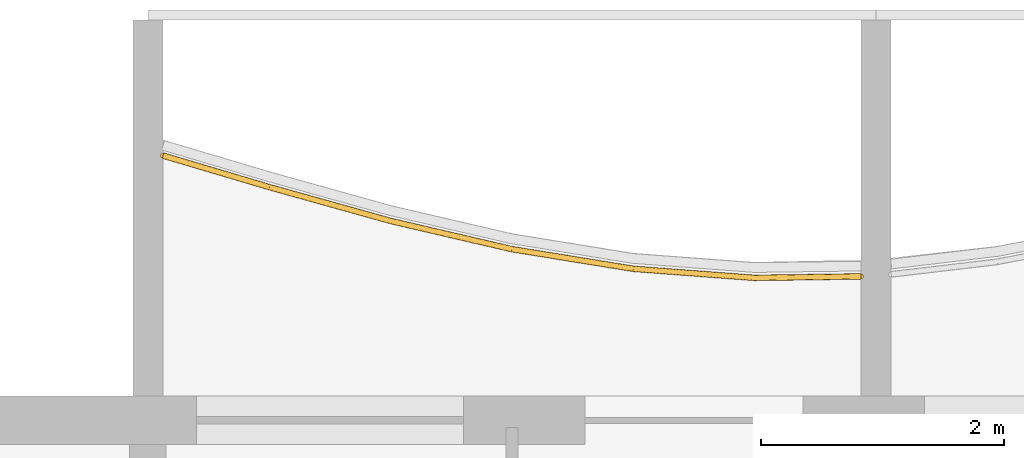
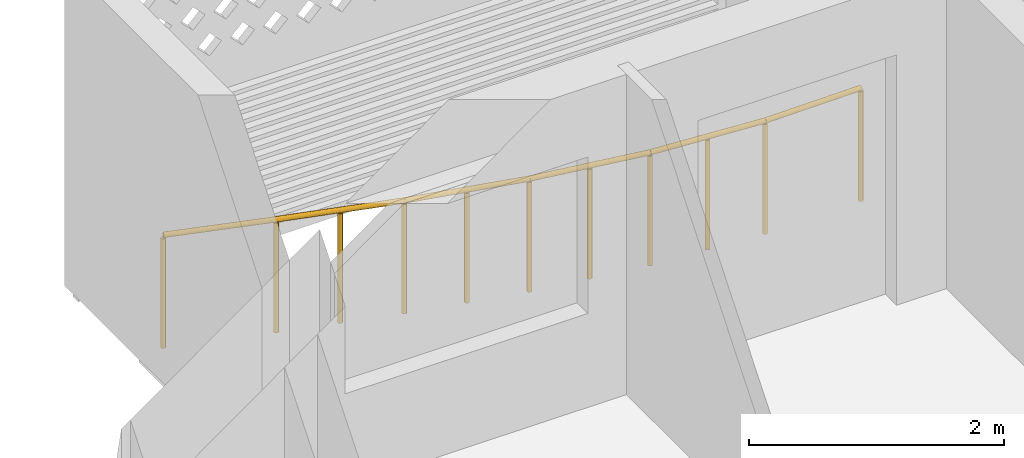
# One storey, part 16 of 31: 1 railing.
"""IFC4 building model written with IfcOpenShell, lengths in metres."""

from ifc_helpers import new_model, si_unit, direction, frame, origin, origin_2d, place, context, subcontext, project, spatial, circle, extrude, material, type_object, element, save


model = new_model("IFC4")

# Units and contexts
model_context = context("Model", 3, precision=1e-05, world=origin(), true_north=direction((0.0, 1.0)))
body_context = subcontext(model_context, "Body", "Model", "MODEL_VIEW")
ifc_project = project(units=[si_unit("LENGTHUNIT", "METRE"), si_unit("AREAUNIT", "SQUARE_METRE"), si_unit("VOLUMEUNIT", "CUBIC_METRE"), si_unit("PLANEANGLEUNIT", "RADIAN"), si_unit("MASSUNIT", "GRAM", prefix="KILO")], contexts=[model_context])

# Site, building, storey
site_placement = place(None, origin())
site = spatial("IfcSite", under=ifc_project, at=site_placement, CompositionType="ELEMENT")
building_placement = place(site_placement, origin())
building = spatial("IfcBuilding", under=site, at=building_placement, Name="Poui Terraces", CompositionType="ELEMENT")
storey_placement = place(building_placement, frame((0.0, 0.0, 148.800048828125)))
storey = spatial("IfcBuildingStorey", under=building, at=storey_placement, Name="L41", CompositionType="ELEMENT", Elevation=148.800048828125)

# Railing
ifc_material = material(Name="Painted steel fretwork", Category="steel")
railing_type = type_object("IfcRailingType", Name="BALCONY GUARD 1100", PredefinedType="GUARDRAIL", material=ifc_material)
railing_placement = place(storey_placement, frame((18.125, 44.581787109375, 0.0)))
element("IfcRailing", 1, at=railing_placement, inside=storey, type_object=railing_type, Name="BALCONY GUARD", PredefinedType="GUARDRAIL", context=body_context, shape_type="SweptSolid", body=[
    extrude(circle(Radius=0.02392578125, at=origin_2d()), frame((0.0, 0.0, 1.076171875), z_axis=(0.95871981657, -0.284352445595, 0.0), x_axis=(0.284352445595, 0.95871981657, 0.0)), (0.0, 0.0, 1.0), 0.91259765625),
    extrude(circle(Radius=0.02392578125, at=origin_2d()), frame((0.875, -0.259521484375, 1.076171875), z_axis=(0.963200548895, -0.268783746921, 0.0), x_axis=(0.268783746921, 0.963200548895, 0.0)), (0.0, 0.0, 1.0), 1.0380859375),
    extrude(circle(Radius=0.02392578125, at=origin_2d()), frame((1.875, -0.53857421875, 1.076171875), z_axis=(0.974037301865, -0.226387576019, 0.0), x_axis=(0.226387576019, 0.974037301865, 0.0)), (0.0, 0.0, 1.0), 1.026611328125),
    extrude(circle(Radius=0.02392578125, at=origin_2d()), frame((2.875, -0.77099609375, 1.076171875), z_axis=(0.987151750337, -0.159785549432, 0.0), x_axis=(0.159785549432, 0.987151750337, 0.0)), (0.0, 0.0, 1.0), 1.012939453125),
    extrude(circle(Radius=0.02392578125, at=origin_2d()), frame((3.875, -0.932861328125, 1.076171875), z_axis=(0.997221056601, -0.074499424639, 0.0), x_axis=(0.074499424639, 0.997221056601, 0.0)), (0.0, 0.0, 1.0), 1.002685546875),
    extrude(circle(Radius=0.02392578125, at=origin_2d()), frame((4.875, -1.007568359375, 1.076171875), z_axis=(0.999906553017, 0.013670597405, 0.0), x_axis=(-0.013670597405, 0.999906553017, 0.0)), (0.0, 0.0, 1.0), 0.875),
    extrude(circle(Radius=0.02099609375, at=origin_2d()), origin(), (0.0, 0.0, 1.0), 1.052001953125),
    extrude(circle(Radius=0.02099609375, at=origin_2d()), frame((0.875, -0.259521484375, 0.0)), (0.0, 0.0, 1.0), 1.052001953125),
    extrude(circle(Radius=0.02099609375, at=origin_2d()), frame((1.375, -0.39892578125, 0.0)), (0.0, 0.0, 1.0), 1.052001953125),
    extrude(circle(Radius=0.02099609375, at=origin_2d()), frame((1.875, -0.53857421875, 0.0)), (0.0, 0.0, 1.0), 1.052001953125),
    extrude(circle(Radius=0.02099609375, at=origin_2d()), frame((2.375, -0.65478515625, 0.0)), (0.0, 0.0, 1.0), 1.052001953125),
    extrude(circle(Radius=0.02099609375, at=origin_2d()), frame((2.875, -0.77099609375, 0.0)), (0.0, 0.0, 1.0), 1.052001953125),
    extrude(circle(Radius=0.02099609375, at=origin_2d()), frame((3.375, -0.85205078125, 0.0)), (0.0, 0.0, 1.0), 1.052001953125),
    extrude(circle(Radius=0.02099609375, at=origin_2d()), frame((3.875, -0.932861328125, 0.0)), (0.0, 0.0, 1.0), 1.052001953125),
    extrude(circle(Radius=0.02099609375, at=origin_2d()), frame((4.375, -0.97021484375, 0.0)), (0.0, 0.0, 1.0), 1.052001953125),
    extrude(circle(Radius=0.02099609375, at=origin_2d()), frame((4.875, -1.007568359375, 0.0)), (0.0, 0.0, 1.0), 1.052001953125),
    extrude(circle(Radius=0.02099609375, at=origin_2d()), frame((5.75, -0.99560546875, 0.0)), (0.0, 0.0, 1.0), 1.052001953125),
])

save(model, "model.ifc")
